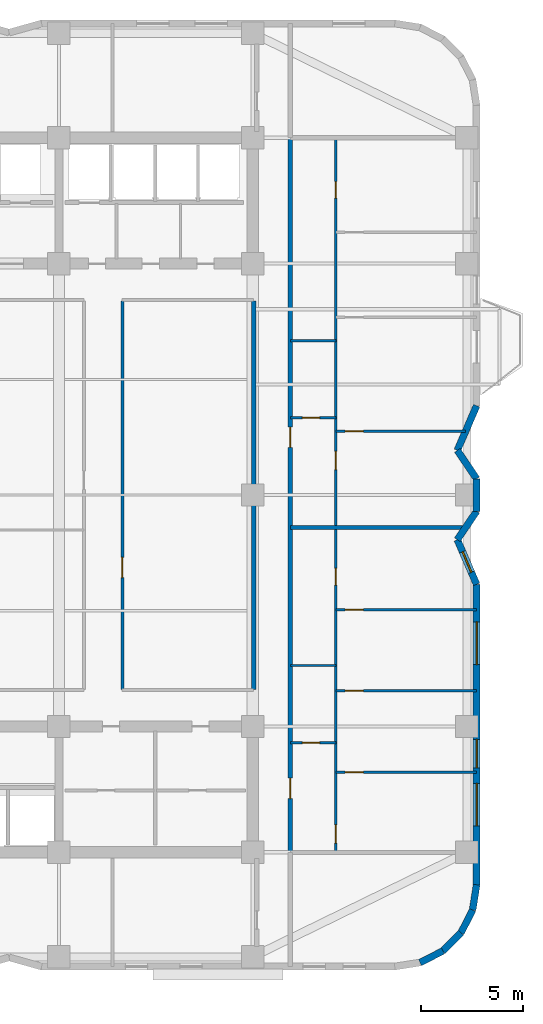
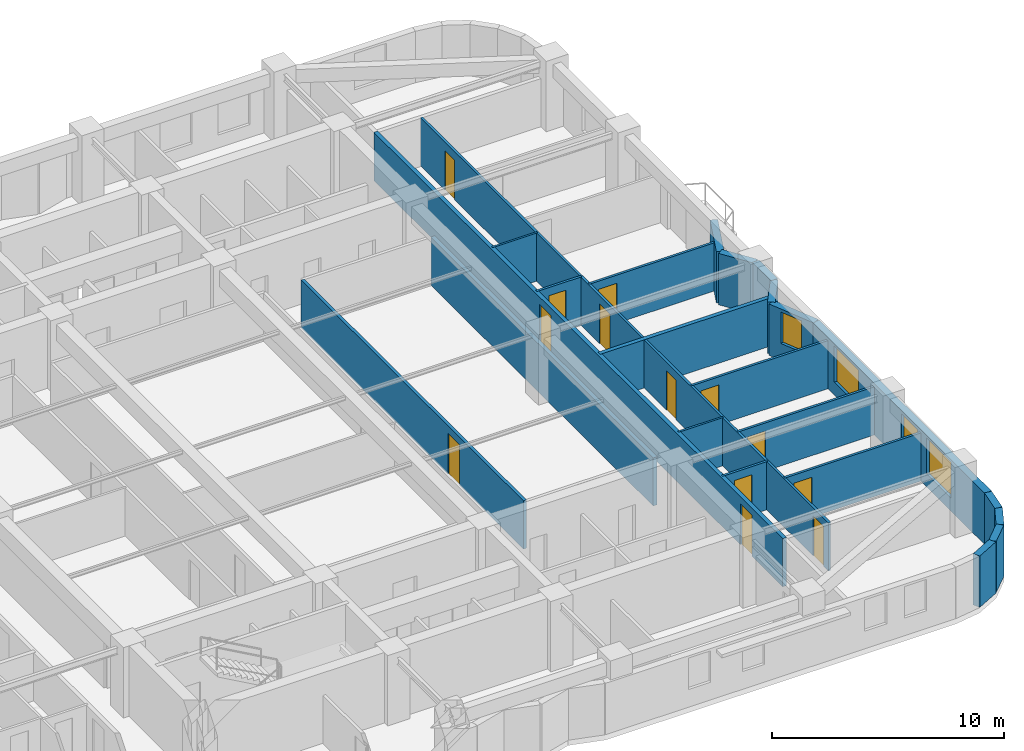
# One storey, part 5 of 10: 24 walls, 13 doors, 4 windows, 17 openings.
"""IFC4 building model written with IfcOpenShell, lengths in metres."""

from ifc_helpers import new_model, si_unit, direction, frame, frame_2d, origin, place, context, subcontext, project, spatial, rectangle, extrude, material, layer, layer_set, type_object, element, fill, save


model = new_model("IFC4")

# Units and contexts
model_context = context("Model", 3, precision=1e-05, world=origin(), true_north=direction((0.0, 1.0)))
body_context = subcontext(model_context, "Body", "Model", "MODEL_VIEW")
ifc_project = project(units=[si_unit("LENGTHUNIT", "METRE"), si_unit("AREAUNIT", "SQUARE_METRE"), si_unit("VOLUMEUNIT", "CUBIC_METRE"), si_unit("PLANEANGLEUNIT", "RADIAN"), si_unit("MASSUNIT", "GRAM", prefix="KILO")], contexts=[model_context])

# Site, building, storey
site_placement = place(None, origin())
site = spatial("IfcSite", under=ifc_project, at=site_placement, CompositionType="ELEMENT")
building_placement = place(site_placement, origin())
building = spatial("IfcBuilding", under=site, at=building_placement, Name="Svetorya Sky Lyceum", CompositionType="ELEMENT")
storey_placement = place(building_placement, frame((0.0, 0.0, 95.699951171875)))
storey = spatial("IfcBuildingStorey", under=building, at=storey_placement, Name="L23", CompositionType="ELEMENT", Elevation=95.699951171875)

# Walls
ifc_material_1 = material(Name="Putilovo limestone rainscreen on autoclaved cellular masonry", Category="masonry")
ifc_layer_1 = layer(ifc_material_1, 0.340087890625)
ifc_layer_set_1 = layer_set([ifc_layer_1], Name="Putilovo limestone rainscreen on autoclaved cellular masonry")
wall_type_1 = type_object("IfcWallType", Name="WL-EXT-340", PredefinedType="SOLIDWALL", material=ifc_layer_set_1)
for number, where, z_axis, x_axis, name in (
    (1, (61.04541015625, 5.167236328125, 0.0), (0.0, 0.0, 1.0), (0.890953769915, 0.454094020963, 0.0), "L23 Limestone Exterior Wall 13M"),
    (2, (62.168701171875, 5.73974609375, 0.0), (0.0, 0.0, 1.0), (0.707203598708, 0.707009950407, 0.0), "L23 Limestone Exterior Wall 14M"),
):
    element("IfcWall", number, at=place(storey_placement, frame(where, z_axis=z_axis, x_axis=x_axis)), inside=storey, type_object=wall_type_1, Name=name, PredefinedType="SOLIDWALL", context=body_context, shape_type="SweptSolid", body=[
        extrude(rectangle(XDim=1.2607421875, YDim=0.340087890625, at=frame_2d((0.63037109375, 0.0))), origin(), (0.0, 0.0, 1.0), 2.699951171875),
    ])
for number, where, z_axis, x_axis, name in (
    (3, (63.060302734375, 6.631103515625, 0.0), (0.0, 0.0, 1.0), (0.454015689056, 0.890993689142, 0.0), "L23 Limestone Exterior Wall 15M"),
    (4, (63.6328125, 7.754638671875, 0.0), (0.0, 0.0, 1.0), (0.15644975923, 0.987685918112, 0.0), "L23 Limestone Exterior Wall 16M"),
):
    element("IfcWall", number, at=place(storey_placement, frame(where, z_axis=z_axis, x_axis=x_axis)), inside=storey, type_object=wall_type_1, Name=name, PredefinedType="SOLIDWALL", context=body_context, shape_type="SweptSolid", body=[
        extrude(rectangle(XDim=1.260986328125, YDim=0.340087890625, at=frame_2d((0.63037109375, 0.0))), origin(), (0.0, 0.0, 1.0), 2.699951171875),
    ])

# Wall, openings, windows
wall_1_placement = place(storey_placement, frame((63.830078125, 9.0, 0.0), z_axis=(0.0, 0.0, 1.0), x_axis=(0.0, 1.0, 0.0)))
wall_1 = element("IfcWall", 5, at=wall_1_placement, inside=storey, type_object=wall_type_1, Name="L23 Limestone Exterior Wall 17M", PredefinedType="SOLIDWALL", context=body_context, shape_type="SweptSolid", body=[
    extrude(rectangle(XDim=14.800048828125, YDim=0.340087890625, at=frame_2d((7.39990234375, 0.0))), origin(), (0.0, 0.0, 1.0), 2.699951171875),
])
opening_1_placement = place(wall_1_placement, frame((2.89990234375, 0.0, 0.679931640625)))
opening_1 = element("IfcOpeningElement", 6, at=opening_1_placement, cuts=wall_1, Name="Opening W-R0", PredefinedType="OPENING", context=body_context, shape_type="SweptSolid", body=[
    extrude(rectangle(XDim=2.10009765625, YDim=1.89990234375, at=frame_2d((1.050048828125, 0.949951171875))), frame((0.0, 0.179931640625, 0.0), z_axis=(0.0, -1.0, 0.0), x_axis=(1.0, 0.0, 0.0)), (0.0, 0.0, 1.0), 0.360107421875),
])
opening_2_placement = place(wall_1_placement, frame((5.760009765625, 0.0, 0.68994140625)))
opening_2 = element("IfcOpeningElement", 7, at=opening_2_placement, cuts=wall_1, Name="Opening W-R2", PredefinedType="OPENING", context=body_context, shape_type="SweptSolid", body=[
    extrude(rectangle(XDim=1.39990234375, YDim=1.85009765625, at=frame_2d((0.699951171875, 0.925048828125))), frame((0.0, 0.179931640625, 0.0), z_axis=(0.0, -1.0, 0.0), x_axis=(1.0, 0.0, 0.0)), (0.0, 0.0, 1.0), 0.360107421875),
])
opening_3_placement = place(wall_1_placement, frame((10.85009765625, 0.0, 0.679931640625)))
opening_3 = element("IfcOpeningElement", 8, at=opening_3_placement, cuts=wall_1, Name="Opening W-R0", PredefinedType="OPENING", context=body_context, shape_type="SweptSolid", body=[
    extrude(rectangle(XDim=2.10009765625, YDim=1.89990234375, at=frame_2d((1.050048828125, 0.949951171875))), frame((0.0, 0.179931640625, 0.0), z_axis=(0.0, -1.0, 0.0), x_axis=(1.0, 0.0, 0.0)), (0.0, 0.0, 1.0), 0.360107421875),
])
ifc_material_2 = material(Name="Thermally broken aluminium frame with triple low-E glazing", Category="aluminium")
window_type_1 = type_object("IfcWindowType", Name="WN-RES-140", PartitioningType="SINGLE_PANEL", PredefinedType="WINDOW", material=ifc_material_2)
window_1_placement = place(opening_2_placement, origin())
window_1 = element("IfcWindow", 9, at=window_1_placement, inside=storey, type_object=window_type_1, Name="L23 Facade Window W-R2.17M.3", OverallHeight=1.85009765625, OverallWidth=1.39990234375, PartitioningType="SINGLE_PANEL", PredefinedType="WINDOW", context=body_context, shape_type="SweptSolid", body=[
    extrude(rectangle(XDim=1.39990234375, YDim=1.85009765625, at=frame_2d((0.699951171875, 0.925048828125))), frame((0.0, 0.030029296875, 0.0), z_axis=(0.0, -1.0, 0.0), x_axis=(1.0, 0.0, 0.0)), (0.0, 0.0, 1.0), 0.06005859375),
])
fill(opening_2, window_1)
window_type_2 = type_object("IfcWindowType", Name="WN-RES-210", PartitioningType="TRIPLE_PANEL_VERTICAL", PredefinedType="WINDOW", material=ifc_material_2)
window_2_placement = place(opening_1_placement, origin())
window_2 = element("IfcWindow", 10, at=window_2_placement, inside=storey, type_object=window_type_2, Name="L23 Facade Window W-R0.17M.1", OverallHeight=1.89990234375, OverallWidth=2.10009765625, PartitioningType="SINGLE_PANEL", PredefinedType="WINDOW", context=body_context, shape_type="SweptSolid", body=[
    extrude(rectangle(XDim=2.10009765625, YDim=1.89990234375, at=frame_2d((1.050048828125, 0.949951171875))), frame((0.0, 0.030029296875, 0.0), z_axis=(0.0, -1.0, 0.0), x_axis=(1.0, 0.0, 0.0)), (0.0, 0.0, 1.0), 0.06005859375),
])
fill(opening_1, window_2)
window_3_placement = place(opening_3_placement, origin())
window_3 = element("IfcWindow", 11, at=window_3_placement, inside=storey, type_object=window_type_2, Name="L23 Facade Window W-R0.17M.2", OverallHeight=1.89990234375, OverallWidth=2.10009765625, PartitioningType="SINGLE_PANEL", PredefinedType="WINDOW", context=body_context, shape_type="SweptSolid", body=[
    extrude(rectangle(XDim=2.10009765625, YDim=1.89990234375, at=frame_2d((1.050048828125, 0.949951171875))), frame((0.0, 0.030029296875, 0.0), z_axis=(0.0, -1.0, 0.0), x_axis=(1.0, 0.0, 0.0)), (0.0, 0.0, 1.0), 0.06005859375),
])
fill(opening_3, window_3)

# Wall, opening, window
wall_2_placement = place(storey_placement, frame((63.830078125, 23.800048828125, 0.0), z_axis=(0.0, 0.0, 1.0), x_axis=(-0.396512124623, 0.918029484835, 0.0)))
wall_2 = element("IfcWall", 12, at=wall_2_placement, inside=storey, type_object=wall_type_1, Name="L23 Limestone Exterior Wall 18M", PredefinedType="SOLIDWALL", context=body_context, shape_type="SweptSolid", body=[
    extrude(rectangle(XDim=2.396484375, YDim=0.340087890625, at=frame_2d((1.1982421875, 0.0))), origin(), (0.0, 0.0, 1.0), 2.699951171875),
])
opening_4_placement = place(wall_2_placement, frame((0.648193359375, 0.0, 0.889892578125)))
opening_4 = element("IfcOpeningElement", 13, at=opening_4_placement, cuts=wall_2, Name="Opening W-R3", PredefinedType="OPENING", context=body_context, shape_type="SweptSolid", body=[
    extrude(rectangle(XDim=1.10009765625, YDim=1.64990234375, at=frame_2d((0.550048828125, 0.824951171875))), frame((0.0, 0.179931640625, 0.0), z_axis=(0.0, -1.0, 0.0), x_axis=(1.0, 0.0, 0.0)), (0.0, 0.0, 1.0), 0.360107421875),
])
window_type_3 = type_object("IfcWindowType", Name="WN-RES-110", PartitioningType="SINGLE_PANEL", PredefinedType="WINDOW", material=ifc_material_2)
window_4_placement = place(opening_4_placement, origin())
window_4 = element("IfcWindow", 14, at=window_4_placement, inside=storey, type_object=window_type_3, Name="L23 Facade Window W-R3.18M.1", OverallHeight=1.64990234375, OverallWidth=1.10009765625, PartitioningType="SINGLE_PANEL", PredefinedType="WINDOW", context=body_context, shape_type="SweptSolid", body=[
    extrude(rectangle(XDim=1.10009765625, YDim=1.64990234375, at=frame_2d((0.550048828125, 0.824951171875))), frame((0.0, 0.030029296875, 0.0), z_axis=(0.0, -1.0, 0.0), x_axis=(1.0, 0.0, 0.0)), (0.0, 0.0, 1.0), 0.06005859375),
])
fill(opening_4, window_4)

# Walls
wall_3_placement = place(storey_placement, frame((62.8798828125, 26.0, 0.0), z_axis=(0.0, 0.0, 1.0), x_axis=(0.561607274182, 0.827403933751, 0.0)))
element("IfcWall", 15, at=wall_3_placement, inside=storey, type_object=wall_type_1, Name="L23 Limestone Exterior Wall 19M", PredefinedType="SOLIDWALL", context=body_context, shape_type="SweptSolid", body=[
    extrude(rectangle(XDim=1.69189453125, YDim=0.340087890625, at=frame_2d((0.845947265625, 0.0))), origin(), (0.0, 0.0, 1.0), 2.699951171875),
])
wall_4_placement = place(storey_placement, frame((63.830078125, 27.39990234375, 0.0), z_axis=(0.0, 0.0, 1.0), x_axis=(0.0, 1.0, 0.0)))
element("IfcWall", 16, at=wall_4_placement, inside=storey, type_object=wall_type_1, Name="L23 Limestone Exterior Wall 20M", PredefinedType="SOLIDWALL", context=body_context, shape_type="SweptSolid", body=[
    extrude(rectangle(XDim=1.60009765625, YDim=0.340087890625, at=frame_2d((0.800048828125, 0.0))), origin(), (0.0, 0.0, 1.0), 2.699951171875),
])
wall_5_placement = place(storey_placement, frame((63.830078125, 29.0, 0.0), z_axis=(0.0, 0.0, 1.0), x_axis=(-0.561607274182, 0.827403933751, 0.0)))
element("IfcWall", 17, at=wall_5_placement, inside=storey, type_object=wall_type_1, Name="L23 Limestone Exterior Wall 21M", PredefinedType="SOLIDWALL", context=body_context, shape_type="SweptSolid", body=[
    extrude(rectangle(XDim=1.69189453125, YDim=0.340087890625, at=frame_2d((0.845947265625, 0.0))), origin(), (0.0, 0.0, 1.0), 2.699951171875),
])
wall_6_placement = place(storey_placement, frame((62.8798828125, 30.39990234375, 0.0), z_axis=(0.0, 0.0, 1.0), x_axis=(0.396475042899, 0.918045500157, 0.0)))
element("IfcWall", 18, at=wall_6_placement, inside=storey, type_object=wall_type_1, Name="L23 Limestone Exterior Wall 22M", PredefinedType="SOLIDWALL", context=body_context, shape_type="SweptSolid", body=[
    extrude(rectangle(XDim=2.396728515625, YDim=0.340087890625, at=frame_2d((1.1982421875, 0.0))), origin(), (0.0, 0.0, 1.0), 2.699951171875),
])
ifc_material_3 = material(Name="Galvanized stud partition with moisture-resistant board", Category="gypsum")
ifc_layer_2 = layer(ifc_material_3, 0.10009765625)
ifc_layer_set_2 = layer_set([ifc_layer_2], Name="Galvanized stud partition with moisture-resistant board")
wall_type_2 = type_object("IfcWallType", Name="WL-PART-100", PredefinedType="PARTITIONING", material=ifc_layer_set_2)
for number, where, z_axis, x_axis, name in (
    (19, (54.64990234375, 19.800048828125, 0.0), (0.0, 0.0, 1.0), (1.0, 0.0, 0.0), "L23 Interior Partition E1-WH2"),
    (20, (54.64990234375, 35.800048828125, 0.0), (0.0, 0.0, 1.0), (1.0, 0.0, 0.0), "L23 Interior Partition E2-WH2"),
):
    element("IfcWall", number, at=place(storey_placement, frame(where, z_axis=z_axis, x_axis=x_axis)), inside=storey, type_object=wall_type_2, Name=name, PredefinedType="PARTITIONING", context=body_context, shape_type="SweptSolid", body=[
        extrude(rectangle(XDim=2.25, YDim=0.10009765625, at=frame_2d((1.125, 0.0))), origin(), (0.0, 0.0, 1.0), 2.530029296875),
    ])

# Wall, opening, door
ifc_material_4 = material(Name="Twin-stud galvanized framing with double fireboard", Category="gypsum")
ifc_layer_3 = layer(ifc_material_4, 0.1201171875)
ifc_layer_set_3 = layer_set([ifc_layer_3], Name="Twin-stud galvanized framing with double fireboard")
wall_type_3 = type_object("IfcWallType", Name="WL-PART-120", PredefinedType="PARTITIONING", material=ifc_layer_set_3)
wall_7_placement = place(storey_placement, frame((54.64990234375, 16.0, 0.0), z_axis=(0.0, 0.0, 1.0), x_axis=(1.0, 0.0, 0.0)))
wall_7 = element("IfcWall", 21, at=wall_7_placement, inside=storey, type_object=wall_type_3, Name="L23 Interior Partition E1-WH1", PredefinedType="PARTITIONING", context=body_context, shape_type="SweptSolid", body=[
    extrude(rectangle(XDim=2.25, YDim=0.1201171875, at=frame_2d((1.125, 0.0))), origin(), (0.0, 0.0, 1.0), 2.530029296875),
])
opening_5_placement = place(wall_7_placement, frame((0.60009765625, 0.0, 0.0)))
opening_5 = element("IfcOpeningElement", 22, at=opening_5_placement, cuts=wall_7, Name="Opening D-BT1", PredefinedType="OPENING", context=body_context, shape_type="SweptSolid", body=[
    extrude(rectangle(XDim=0.85009765625, YDim=2.10009765625, at=frame_2d((0.425048828125, 1.050048828125))), frame((0.0, 0.070068359375, 0.0), z_axis=(0.0, -1.0, 0.0), x_axis=(1.0, 0.0, 0.0)), (0.0, 0.0, 1.0), 0.14013671875),
])
ifc_material_5 = material(Name="Moisture-resistant laminate bathroom door")
door_type_1 = type_object("IfcDoorType", Name="DR-WET-850", OperationType="SINGLE_SWING_LEFT", PredefinedType="DOOR", material=ifc_material_5)
door_1_placement = place(opening_5_placement, origin())
door_1 = element("IfcDoor", 23, at=door_1_placement, inside=storey, type_object=door_type_1, Name="Apartment E1 Bathroom Door", OperationType="SINGLE_SWING_RIGHT", OverallHeight=2.10009765625, OverallWidth=0.85009765625, PredefinedType="DOOR", context=body_context, shape_type="SweptSolid", body=[
    extrude(rectangle(XDim=0.85009765625, YDim=2.10009765625, at=frame_2d((0.425048828125, 1.050048828125))), frame((0.0, 0.02490234375, 0.0), z_axis=(0.0, -1.0, 0.0), x_axis=(1.0, 0.0, 0.0)), (0.0, 0.0, 1.0), 0.050048828125),
])
fill(opening_5, door_1)

wall_8_placement = place(storey_placement, frame((56.89990234375, 14.550048828125, 0.0), z_axis=(0.0, 0.0, 1.0), x_axis=(1.0, 0.0, 0.0)))
wall_8 = element("IfcWall", 24, at=wall_8_placement, inside=storey, type_object=wall_type_3, Name="L23 Interior Partition E1-WL1", PredefinedType="PARTITIONING", context=body_context, shape_type="SweptSolid", body=[
    extrude(rectangle(XDim=6.93017578125, YDim=0.1201171875, at=frame_2d((3.465087890625, 0.0))), origin(), (0.0, 0.0, 1.0), 2.530029296875),
])
opening_6_placement = place(wall_8_placement, frame((0.449951171875, 0.0, 0.0)))
opening_6 = element("IfcOpeningElement", 25, at=opening_6_placement, cuts=wall_8, Name="Opening D-RM1", PredefinedType="OPENING", context=body_context, shape_type="SweptSolid", body=[
    extrude(rectangle(XDim=0.89990234375, YDim=2.10009765625, at=frame_2d((0.449951171875, 1.050048828125))), frame((0.0, 0.070068359375, 0.0), z_axis=(0.0, -1.0, 0.0), x_axis=(1.0, 0.0, 0.0)), (0.0, 0.0, 1.0), 0.14013671875),
])
ifc_material_6 = material(Name="Lacquered birch veneer internal door")
door_type_2 = type_object("IfcDoorType", Name="DR-INT-900", OperationType="SINGLE_SWING_LEFT", PredefinedType="DOOR", material=ifc_material_6)
door_2_placement = place(opening_6_placement, origin())
door_2 = element("IfcDoor", 26, at=door_2_placement, inside=storey, type_object=door_type_2, Name="Apartment E1 Master Bedroom Door", OperationType="SINGLE_SWING_RIGHT", OverallHeight=2.10009765625, OverallWidth=0.89990234375, PredefinedType="DOOR", context=body_context, shape_type="SweptSolid", body=[
    extrude(rectangle(XDim=0.89990234375, YDim=2.10009765625, at=frame_2d((0.449951171875, 1.050048828125))), frame((0.0, 0.02490234375, 0.0), z_axis=(0.0, -1.0, 0.0), x_axis=(1.0, 0.0, 0.0)), (0.0, 0.0, 1.0), 0.050048828125),
])
fill(opening_6, door_2)

wall_9_placement = place(storey_placement, frame((56.89990234375, 18.550048828125, 0.0), z_axis=(0.0, 0.0, 1.0), x_axis=(1.0, 0.0, 0.0)))
wall_9 = element("IfcWall", 27, at=wall_9_placement, inside=storey, type_object=wall_type_3, Name="L23 Interior Partition E1-WL2", PredefinedType="PARTITIONING", context=body_context, shape_type="SweptSolid", body=[
    extrude(rectangle(XDim=6.93017578125, YDim=0.1201171875, at=frame_2d((3.465087890625, 0.0))), origin(), (0.0, 0.0, 1.0), 2.530029296875),
])
opening_7_placement = place(wall_9_placement, frame((0.449951171875, 0.0, 0.0)))
opening_7 = element("IfcOpeningElement", 28, at=opening_7_placement, cuts=wall_9, Name="Opening D-RM1", PredefinedType="OPENING", context=body_context, shape_type="SweptSolid", body=[
    extrude(rectangle(XDim=0.89990234375, YDim=2.10009765625, at=frame_2d((0.449951171875, 1.050048828125))), frame((0.0, 0.070068359375, 0.0), z_axis=(0.0, -1.0, 0.0), x_axis=(1.0, 0.0, 0.0)), (0.0, 0.0, 1.0), 0.14013671875),
])
door_3_placement = place(opening_7_placement, origin())
door_3 = element("IfcDoor", 29, at=door_3_placement, inside=storey, type_object=door_type_2, Name="Apartment E1 Bedroom 2 Door", OperationType="SINGLE_SWING_LEFT", OverallHeight=2.10009765625, OverallWidth=0.89990234375, PredefinedType="DOOR", context=body_context, shape_type="SweptSolid", body=[
    extrude(rectangle(XDim=0.89990234375, YDim=2.10009765625, at=frame_2d((0.449951171875, 1.050048828125))), frame((0.0, 0.02490234375, 0.0), z_axis=(0.0, -1.0, 0.0), x_axis=(1.0, 0.0, 0.0)), (0.0, 0.0, 1.0), 0.050048828125),
])
fill(opening_7, door_3)

wall_10_placement = place(storey_placement, frame((56.89990234375, 22.550048828125, 0.0), z_axis=(0.0, 0.0, 1.0), x_axis=(1.0, 0.0, 0.0)))
wall_10 = element("IfcWall", 30, at=wall_10_placement, inside=storey, type_object=wall_type_3, Name="L23 Interior Partition E1-WL3", PredefinedType="PARTITIONING", context=body_context, shape_type="SweptSolid", body=[
    extrude(rectangle(XDim=6.93017578125, YDim=0.1201171875, at=frame_2d((3.465087890625, 0.0))), origin(), (0.0, 0.0, 1.0), 2.530029296875),
])
opening_8_placement = place(wall_10_placement, frame((0.449951171875, 0.0, 0.0)))
opening_8 = element("IfcOpeningElement", 31, at=opening_8_placement, cuts=wall_10, Name="Opening D-RM1", PredefinedType="OPENING", context=body_context, shape_type="SweptSolid", body=[
    extrude(rectangle(XDim=0.89990234375, YDim=2.10009765625, at=frame_2d((0.449951171875, 1.050048828125))), frame((0.0, 0.070068359375, 0.0), z_axis=(0.0, -1.0, 0.0), x_axis=(1.0, 0.0, 0.0)), (0.0, 0.0, 1.0), 0.14013671875),
])
door_4_placement = place(opening_8_placement, origin())
door_4 = element("IfcDoor", 32, at=door_4_placement, inside=storey, type_object=door_type_2, Name="Apartment E1 Bedroom 3 Door", OperationType="SINGLE_SWING_RIGHT", OverallHeight=2.10009765625, OverallWidth=0.89990234375, PredefinedType="DOOR", context=body_context, shape_type="SweptSolid", body=[
    extrude(rectangle(XDim=0.89990234375, YDim=2.10009765625, at=frame_2d((0.449951171875, 1.050048828125))), frame((0.0, 0.02490234375, 0.0), z_axis=(0.0, -1.0, 0.0), x_axis=(1.0, 0.0, 0.0)), (0.0, 0.0, 1.0), 0.050048828125),
])
fill(opening_8, door_4)

# Wall, openings, doors
wall_11_placement = place(storey_placement, frame((56.89990234375, 10.639892578125, 0.0), z_axis=(0.0, 0.0, 1.0), x_axis=(0.0, 1.0, 0.0)))
wall_11 = element("IfcWall", 33, at=wall_11_placement, inside=storey, type_object=wall_type_3, Name="L23 Interior Partition E1-WV", PredefinedType="PARTITIONING", context=body_context, shape_type="SweptSolid", body=[
    extrude(rectangle(XDim=15.920166015625, YDim=0.1201171875, at=frame_2d((7.9599609375, 0.0))), origin(), (0.0, 0.0, 1.0), 2.530029296875),
])
opening_9_placement = place(wall_11_placement, frame((0.409912109375, 0.0, 0.0)))
opening_9 = element("IfcOpeningElement", 34, at=opening_9_placement, cuts=wall_11, Name="Opening D-RM1", PredefinedType="OPENING", context=body_context, shape_type="SweptSolid", body=[
    extrude(rectangle(XDim=0.89990234375, YDim=2.10009765625, at=frame_2d((0.449951171875, 1.050048828125))), frame((0.0, 0.070068359375, 0.0), z_axis=(0.0, -1.0, 0.0), x_axis=(1.0, 0.0, 0.0)), (0.0, 0.0, 1.0), 0.14013671875),
])
opening_10_placement = place(wall_11_placement, frame((13.125, 0.0, 0.0)))
opening_10 = element("IfcOpeningElement", 35, at=opening_10_placement, cuts=wall_11, Name="Opening D-BT2", PredefinedType="OPENING", context=body_context, shape_type="SweptSolid", body=[
    extrude(rectangle(XDim=0.820068359375, YDim=2.080078125, at=frame_2d((0.41015625, 1.0400390625))), frame((0.0, 0.070068359375, 0.0), z_axis=(0.0, -1.0, 0.0), x_axis=(1.0, 0.0, 0.0)), (0.0, 0.0, 1.0), 0.14013671875),
])
door_5_placement = place(opening_9_placement, origin())
door_5 = element("IfcDoor", 36, at=door_5_placement, inside=storey, type_object=door_type_2, Name="Apartment E1 Living Door", OperationType="SINGLE_SWING_LEFT", OverallHeight=2.10009765625, OverallWidth=0.89990234375, PredefinedType="DOOR", context=body_context, shape_type="SweptSolid", body=[
    extrude(rectangle(XDim=0.89990234375, YDim=2.10009765625, at=frame_2d((0.449951171875, 1.050048828125))), frame((0.0, 0.02490234375, 0.0), z_axis=(0.0, -1.0, 0.0), x_axis=(1.0, 0.0, 0.0)), (0.0, 0.0, 1.0), 0.050048828125),
])
fill(opening_9, door_5)
ifc_material_7 = material(Name="Compact moisture-resistant laminate closet door")
door_type_3 = type_object("IfcDoorType", Name="DR-WET-820", OperationType="SINGLE_SWING_LEFT", PredefinedType="DOOR", material=ifc_material_7)
door_6_placement = place(opening_10_placement, origin())
door_6 = element("IfcDoor", 37, at=door_6_placement, inside=storey, type_object=door_type_3, Name="Apartment E1 Study Door", OperationType="SINGLE_SWING_RIGHT", OverallHeight=2.080078125, OverallWidth=0.820068359375, PredefinedType="DOOR", context=body_context, shape_type="SweptSolid", body=[
    extrude(rectangle(XDim=0.820068359375, YDim=2.080078125, at=frame_2d((0.41015625, 1.0400390625))), frame((0.0, 0.02490234375, 0.0), z_axis=(0.0, -1.0, 0.0), x_axis=(1.0, 0.0, 0.0)), (0.0, 0.0, 1.0), 0.050048828125),
])
fill(opening_10, door_6)

# Wall, opening, door
wall_12_placement = place(storey_placement, frame((54.64990234375, 32.0, 0.0), z_axis=(0.0, 0.0, 1.0), x_axis=(1.0, 0.0, 0.0)))
wall_12 = element("IfcWall", 38, at=wall_12_placement, inside=storey, type_object=wall_type_3, Name="L23 Interior Partition E2-WH1", PredefinedType="PARTITIONING", context=body_context, shape_type="SweptSolid", body=[
    extrude(rectangle(XDim=2.25, YDim=0.1201171875, at=frame_2d((1.125, 0.0))), origin(), (0.0, 0.0, 1.0), 2.530029296875),
])
opening_11_placement = place(wall_12_placement, frame((0.60009765625, 0.0, 0.0)))
opening_11 = element("IfcOpeningElement", 39, at=opening_11_placement, cuts=wall_12, Name="Opening D-BT1", PredefinedType="OPENING", context=body_context, shape_type="SweptSolid", body=[
    extrude(rectangle(XDim=0.85009765625, YDim=2.10009765625, at=frame_2d((0.425048828125, 1.050048828125))), frame((0.0, 0.070068359375, 0.0), z_axis=(0.0, -1.0, 0.0), x_axis=(1.0, 0.0, 0.0)), (0.0, 0.0, 1.0), 0.14013671875),
])
door_7_placement = place(opening_11_placement, origin())
door_7 = element("IfcDoor", 40, at=door_7_placement, inside=storey, type_object=door_type_1, Name="Apartment E2 Bathroom Door", OperationType="SINGLE_SWING_LEFT", OverallHeight=2.10009765625, OverallWidth=0.85009765625, PredefinedType="DOOR", context=body_context, shape_type="SweptSolid", body=[
    extrude(rectangle(XDim=0.85009765625, YDim=2.10009765625, at=frame_2d((0.425048828125, 1.050048828125))), frame((0.0, 0.02490234375, 0.0), z_axis=(0.0, -1.0, 0.0), x_axis=(1.0, 0.0, 0.0)), (0.0, 0.0, 1.0), 0.050048828125),
])
fill(opening_11, door_7)

wall_13_placement = place(storey_placement, frame((56.89990234375, 31.35009765625, 0.0), z_axis=(0.0, 0.0, 1.0), x_axis=(1.0, 0.0, 0.0)))
wall_13 = element("IfcWall", 41, at=wall_13_placement, inside=storey, type_object=wall_type_3, Name="L23 Interior Partition E2-WL1", PredefinedType="PARTITIONING", context=body_context, shape_type="SweptSolid", body=[
    extrude(rectangle(XDim=6.390380859375, YDim=0.1201171875, at=frame_2d((3.1953125, 0.0))), origin(), (0.0, 0.0, 1.0), 2.530029296875),
])
opening_12_placement = place(wall_13_placement, frame((0.449951171875, 0.0, 0.0)))
opening_12 = element("IfcOpeningElement", 42, at=opening_12_placement, cuts=wall_13, Name="Opening D-RM1", PredefinedType="OPENING", context=body_context, shape_type="SweptSolid", body=[
    extrude(rectangle(XDim=0.89990234375, YDim=2.10009765625, at=frame_2d((0.449951171875, 1.050048828125))), frame((0.0, 0.070068359375, 0.0), z_axis=(0.0, -1.0, 0.0), x_axis=(1.0, 0.0, 0.0)), (0.0, 0.0, 1.0), 0.14013671875),
])
door_8_placement = place(opening_12_placement, origin())
door_8 = element("IfcDoor", 43, at=door_8_placement, inside=storey, type_object=door_type_2, Name="Apartment E2 Master Bedroom Door", OperationType="SINGLE_SWING_LEFT", OverallHeight=2.10009765625, OverallWidth=0.89990234375, PredefinedType="DOOR", context=body_context, shape_type="SweptSolid", body=[
    extrude(rectangle(XDim=0.89990234375, YDim=2.10009765625, at=frame_2d((0.449951171875, 1.050048828125))), frame((0.0, 0.02490234375, 0.0), z_axis=(0.0, -1.0, 0.0), x_axis=(1.0, 0.0, 0.0)), (0.0, 0.0, 1.0), 0.050048828125),
])
fill(opening_12, door_8)

# Wall, openings, doors
wall_14_placement = place(storey_placement, frame((56.89990234375, 26.639892578125, 0.0), z_axis=(0.0, 0.0, 1.0), x_axis=(0.0, 1.0, 0.0)))
wall_14 = element("IfcWall", 44, at=wall_14_placement, inside=storey, type_object=wall_type_3, Name="L23 Interior Partition E2-WV", PredefinedType="PARTITIONING", context=body_context, shape_type="SweptSolid", body=[
    extrude(rectangle(XDim=19.1201171875, YDim=0.1201171875, at=frame_2d((9.56005859375, 0.0))), origin(), (0.0, 0.0, 1.0), 2.530029296875),
])
opening_13_placement = place(wall_14_placement, frame((2.81005859375, 0.0, 0.0)))
opening_13 = element("IfcOpeningElement", 45, at=opening_13_placement, cuts=wall_14, Name="Opening D-RM1", PredefinedType="OPENING", context=body_context, shape_type="SweptSolid", body=[
    extrude(rectangle(XDim=0.89990234375, YDim=2.10009765625, at=frame_2d((0.449951171875, 1.050048828125))), frame((0.0, 0.070068359375, 0.0), z_axis=(0.0, -1.0, 0.0), x_axis=(1.0, 0.0, 0.0)), (0.0, 0.0, 1.0), 0.14013671875),
])
opening_14_placement = place(wall_14_placement, frame((16.179931640625, 0.0, 0.0)))
opening_14 = element("IfcOpeningElement", 46, at=opening_14_placement, cuts=wall_14, Name="Opening D-BT2", PredefinedType="OPENING", context=body_context, shape_type="SweptSolid", body=[
    extrude(rectangle(XDim=0.820068359375, YDim=2.080078125, at=frame_2d((0.41015625, 1.0400390625))), frame((0.0, 0.070068359375, 0.0), z_axis=(0.0, -1.0, 0.0), x_axis=(1.0, 0.0, 0.0)), (0.0, 0.0, 1.0), 0.14013671875),
])
door_9_placement = place(opening_13_placement, origin())
door_9 = element("IfcDoor", 47, at=door_9_placement, inside=storey, type_object=door_type_2, Name="Apartment E2 Living Door", OperationType="SINGLE_SWING_RIGHT", OverallHeight=2.10009765625, OverallWidth=0.89990234375, PredefinedType="DOOR", context=body_context, shape_type="SweptSolid", body=[
    extrude(rectangle(XDim=0.89990234375, YDim=2.10009765625, at=frame_2d((0.449951171875, 1.050048828125))), frame((0.0, 0.02490234375, 0.0), z_axis=(0.0, -1.0, 0.0), x_axis=(1.0, 0.0, 0.0)), (0.0, 0.0, 1.0), 0.050048828125),
])
fill(opening_13, door_9)
door_10_placement = place(opening_14_placement, origin())
door_10 = element("IfcDoor", 48, at=door_10_placement, inside=storey, type_object=door_type_3, Name="Apartment E2 Study Door", OperationType="SINGLE_SWING_LEFT", OverallHeight=2.080078125, OverallWidth=0.820068359375, PredefinedType="DOOR", context=body_context, shape_type="SweptSolid", body=[
    extrude(rectangle(XDim=0.820068359375, YDim=2.080078125, at=frame_2d((0.41015625, 1.0400390625))), frame((0.0, 0.02490234375, 0.0), z_axis=(0.0, -1.0, 0.0), x_axis=(1.0, 0.0, 0.0)), (0.0, 0.0, 1.0), 0.050048828125),
])
fill(opening_14, door_10)

# Wall, opening, door
ifc_material_8 = material(Name="Autoclaved cellular masonry blockwork with acoustic render", Category="masonry")
ifc_layer_4 = layer(ifc_material_8, 0.14990234375)
ifc_layer_set_4 = layer_set([ifc_layer_4], Name="Autoclaved cellular masonry blockwork with acoustic render")
wall_type_4 = type_object("IfcWallType", Name="WL-PART-150", PredefinedType="PARTITIONING", material=ifc_layer_set_4)
wall_15_placement = place(storey_placement, frame((46.3798828125, 18.6298828125, 0.0), z_axis=(0.0, 0.0, 1.0), x_axis=(0.0, 1.0, 0.0)))
wall_15 = element("IfcWall", 49, at=wall_15_placement, inside=storey, type_object=wall_type_4, Name="L23 Interior Partition ISL-EE", PredefinedType="PARTITIONING", context=body_context, shape_type="SweptSolid", body=[
    extrude(rectangle(XDim=19.14013671875, YDim=0.14990234375, at=frame_2d((9.570068359375, 0.0))), origin(), (0.0, 0.0, 1.0), 2.530029296875),
])
opening_15_placement = place(wall_15_placement, frame((5.5, 0.0, 0.0)))
opening_15 = element("IfcOpeningElement", 50, at=opening_15_placement, cuts=wall_15, Name="Opening D-RM2", PredefinedType="OPENING", context=body_context, shape_type="SweptSolid", body=[
    extrude(rectangle(XDim=1.0, YDim=2.14990234375, at=frame_2d((0.5, 1.074951171875))), frame((0.0, 0.0849609375, 0.0), z_axis=(0.0, -1.0, 0.0), x_axis=(1.0, 0.0, 0.0)), (0.0, 0.0, 1.0), 0.169921875),
])
ifc_material_9 = material(Name="Solid-core oak acoustic room door")
door_type_4 = type_object("IfcDoorType", Name="DR-INT-1000", OperationType="SINGLE_SWING_LEFT", PredefinedType="DOOR", material=ifc_material_9)
door_11_placement = place(opening_15_placement, origin())
door_11 = element("IfcDoor", 51, at=door_11_placement, inside=storey, type_object=door_type_4, Name="L23 East Seminar Door", OperationType="SINGLE_SWING_LEFT", OverallHeight=2.14990234375, OverallWidth=1.0, PredefinedType="DOOR", context=body_context, shape_type="SweptSolid", body=[
    extrude(rectangle(XDim=1.0, YDim=2.14990234375, at=frame_2d((0.5, 1.074951171875))), frame((0.0, 0.02490234375, 0.0), z_axis=(0.0, -1.0, 0.0), x_axis=(1.0, 0.0, 0.0)), (0.0, 0.0, 1.0), 0.050048828125),
])
fill(opening_15, door_11)

# Walls
ifc_material_10 = material(Name="Autoclaved cellular masonry blockwork with gypsum plaster", Category="masonry")
ifc_layer_5 = layer(ifc_material_10, 0.199951171875)
ifc_layer_set_5 = layer_set([ifc_layer_5], Name="Autoclaved cellular masonry blockwork with gypsum plaster")
wall_type_5 = type_object("IfcWallType", Name="WL-PART-200", PredefinedType="PARTITIONING", material=ifc_layer_set_5)
wall_16_placement = place(storey_placement, frame((52.85009765625, 18.6298828125, 0.0), z_axis=(0.0, 0.0, 1.0), x_axis=(0.0, 1.0, 0.0)))
element("IfcWall", 52, at=wall_16_placement, inside=storey, type_object=wall_type_5, Name="L23 Interior Partition E-CEN-SEP", PredefinedType="PARTITIONING", context=body_context, shape_type="SweptSolid", body=[
    extrude(rectangle(XDim=19.14013671875, YDim=0.199951171875, at=frame_2d((9.570068359375, 0.0))), origin(), (0.0, 0.0, 1.0), 2.530029296875),
])
wall_17_placement = place(storey_placement, frame((54.64990234375, 26.60009765625, 0.0), z_axis=(0.0, 0.0, 1.0), x_axis=(1.0, 0.0, 0.0)))
element("IfcWall", 53, at=wall_17_placement, inside=storey, type_object=wall_type_5, Name="L23 Interior Partition E-PARTY-1", PredefinedType="PARTITIONING", context=body_context, shape_type="SweptSolid", body=[
    extrude(rectangle(XDim=8.63720703125, YDim=0.199951171875, at=frame_2d((4.318603515625, 0.0))), origin(), (0.0, 0.0, 1.0), 2.530029296875),
])

# Wall, openings, doors
wall_18_placement = place(storey_placement, frame((54.64990234375, 10.60009765625, 0.0), z_axis=(0.0, 0.0, 1.0), x_axis=(0.0, 1.0, 0.0)))
wall_18 = element("IfcWall", 54, at=wall_18_placement, inside=storey, type_object=wall_type_5, Name="L23 Interior Partition E-CORRW", PredefinedType="PARTITIONING", context=body_context, shape_type="SweptSolid", body=[
    extrude(rectangle(XDim=35.199951171875, YDim=0.199951171875, at=frame_2d((17.60009765625, 0.0))), origin(), (0.0, 0.0, 1.0), 2.530029296875),
])
opening_16_placement = place(wall_18_placement, frame((2.64990234375, 0.0, 0.0)))
opening_16 = element("IfcOpeningElement", 55, at=opening_16_placement, cuts=wall_18, Name="Opening D-APT1", PredefinedType="OPENING", context=body_context, shape_type="SweptSolid", body=[
    extrude(rectangle(XDim=1.0, YDim=2.14990234375, at=frame_2d((0.5, 1.074951171875))), frame((0.0, 0.10986328125, 0.0), z_axis=(0.0, -1.0, 0.0), x_axis=(1.0, 0.0, 0.0)), (0.0, 0.0, 1.0), 0.219970703125),
])
opening_17_placement = place(wall_18_placement, frame((19.949951171875, 0.0, 0.0)))
opening_17 = element("IfcOpeningElement", 56, at=opening_17_placement, cuts=wall_18, Name="Opening D-APT1", PredefinedType="OPENING", context=body_context, shape_type="SweptSolid", body=[
    extrude(rectangle(XDim=1.0, YDim=2.14990234375, at=frame_2d((0.5, 1.074951171875))), frame((0.0, 0.10986328125, 0.0), z_axis=(0.0, -1.0, 0.0), x_axis=(1.0, 0.0, 0.0)), (0.0, 0.0, 1.0), 0.219970703125),
])
ifc_material_11 = material(Name="Insulated oak-veneered apartment entrance door")
door_type_5 = type_object("IfcDoorType", Name="DR-APT-1000", OperationType="SINGLE_SWING_LEFT", PredefinedType="DOOR", material=ifc_material_11)
door_12_placement = place(opening_16_placement, origin())
door_12 = element("IfcDoor", 57, at=door_12_placement, inside=storey, type_object=door_type_5, Name="L23 Apartment E1 Entrance Door", OperationType="SINGLE_SWING_RIGHT", OverallHeight=2.14990234375, OverallWidth=1.0, PredefinedType="DOOR", context=body_context, shape_type="SweptSolid", body=[
    extrude(rectangle(XDim=1.0, YDim=2.14990234375, at=frame_2d((0.5, 1.074951171875))), frame((0.0, 0.02490234375, 0.0), z_axis=(0.0, -1.0, 0.0), x_axis=(1.0, 0.0, 0.0)), (0.0, 0.0, 1.0), 0.050048828125),
])
fill(opening_16, door_12)
door_13_placement = place(opening_17_placement, origin())
door_13 = element("IfcDoor", 58, at=door_13_placement, inside=storey, type_object=door_type_5, Name="L23 Apartment E2 Entrance Door", OperationType="SINGLE_SWING_LEFT", OverallHeight=2.14990234375, OverallWidth=1.0, PredefinedType="DOOR", context=body_context, shape_type="SweptSolid", body=[
    extrude(rectangle(XDim=1.0, YDim=2.14990234375, at=frame_2d((0.5, 1.074951171875))), frame((0.0, 0.02490234375, 0.0), z_axis=(0.0, -1.0, 0.0), x_axis=(1.0, 0.0, 0.0)), (0.0, 0.0, 1.0), 0.050048828125),
])
fill(opening_17, door_13)

save(model, "model.ifc")
